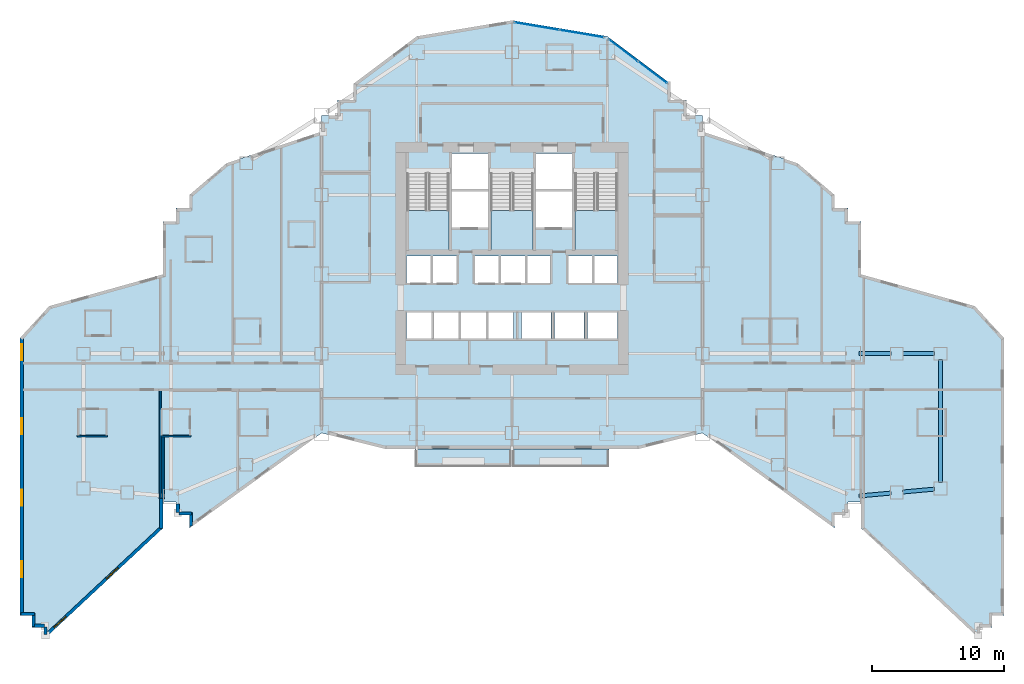
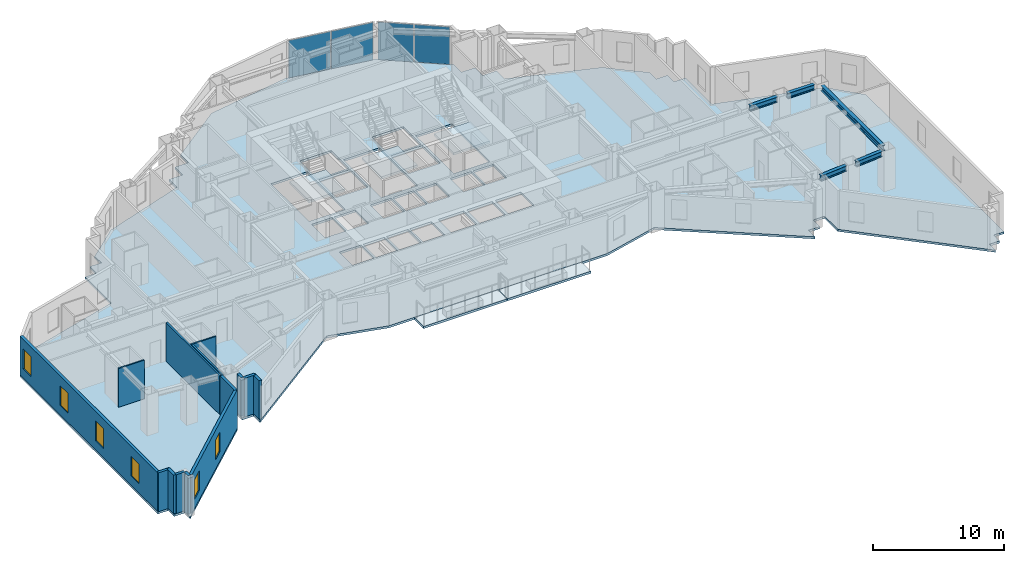
# One storey, part 6 of 16: 14 walls, 6 slabs, 6 windows, 5 beams, 4 plates, 6 openings, 5 elements without a shape of their own.
"""IFC4 building model written with IfcOpenShell, lengths in metres."""

from ifc_helpers import new_model, si_unit, direction, frame, frame_2d, origin, origin_2d, place, context, subcontext, project, spatial, polyline, rectangle, i_section, outline, extrude, material, layer, layer_set, material_profile, profile_set, type_object, element, fill, aggregate, save


model = new_model("IFC4")

# Units and contexts
model_context = context("Model", 3, precision=1e-05, world=origin(), true_north=direction((0.0, 1.0)))
body_context = subcontext(model_context, "Body", "Model", "MODEL_VIEW")
ifc_project = project(units=[si_unit("LENGTHUNIT", "METRE"), si_unit("AREAUNIT", "SQUARE_METRE"), si_unit("VOLUMEUNIT", "CUBIC_METRE"), si_unit("PLANEANGLEUNIT", "RADIAN"), si_unit("MASSUNIT", "GRAM", prefix="KILO")], contexts=[model_context])

# Site, building, storey
site_placement = place(None, origin())
site = spatial("IfcSite", under=ifc_project, at=site_placement, CompositionType="ELEMENT")
building_placement = place(site_placement, origin())
building = spatial("IfcBuilding", under=site, at=building_placement, Name="Haolan Belvedere Tower", CompositionType="ELEMENT")
storey_placement = place(building_placement, frame((0.0, 0.0, 74.199951171875)))
storey = spatial("IfcBuildingStorey", under=building, at=storey_placement, Name="L18", CompositionType="ELEMENT", Elevation=74.199951171875)

# Beams
ifc_material_1 = material(Name="Steel Q355B", Category="steel")
ifc_material_profile = material_profile(ifc_material_1, i_section(OverallWidth=0.300048828125, OverallDepth=0.488037109375, WebThickness=0.010986328125, FlangeThickness=0.01806640625, FilletRadius=0.02587890625, at=origin_2d()), Name="Steel Q355B")
ifc_profile_set = profile_set([ifc_material_profile], Name="Steel Q355B")
beam_type = type_object("IfcBeamType", Name="BM-HM488x300x11x18", PredefinedType="SPANDREL", material=ifc_profile_set)
beam_placement = place(storey_placement, frame((70.800048828125, 17.85009765625, 3.35595703125), z_axis=(0.0, 1.0, 0.0), x_axis=(-1.0, 0.0, 0.0)))
element("IfcBeam", 1, at=beam_placement, inside=storey, type_object=beam_type, Name="L18 spandrel girder MC-T5-SE-MC-T5-NE", PredefinedType="SPANDREL", context=body_context, shape_type="SweptSolid", body=[
    extrude(i_section(OverallWidth=0.300048828125, OverallDepth=0.488037109375, WebThickness=0.010986328125, FlangeThickness=0.01806640625, FilletRadius=0.02587890625, at=origin_2d()), origin(), (0.0, 0.0, 1.0), 9.2998046875),
])
for number, where, z_axis, x_axis, name in (
    (2, (64.648193359375, 16.8408203125, 3.35595703125), (0.995893206468, 0.090535746043, 0.0), (-0.090535746043, 0.995893206468, 0.0), "L18 spandrel girder MC-T4-SE-TC-T5-M1"),
    (3, (67.9482421875, 17.140625, 3.35595703125), (0.995884080761, 0.090636072764, 0.0), (-0.090636072764, 0.995884080761, 0.0), "L18 spandrel girder TC-T5-M1-MC-T5-SE"),
):
    element("IfcBeam", number, at=place(storey_placement, frame(where, z_axis=z_axis, x_axis=x_axis)), inside=storey, type_object=beam_type, Name=name, PredefinedType="SPANDREL", context=body_context, shape_type="SweptSolid", body=[
        extrude(i_section(OverallWidth=0.300048828125, OverallDepth=0.488037109375, WebThickness=0.010986328125, FlangeThickness=0.01806640625, FilletRadius=0.02587890625, at=origin_2d()), origin(), (0.0, 0.0, 1.0), 2.41357421875),
    ])
for number, where, z_axis, x_axis, name in (
    (4, (64.64990234375, 27.60009765625, 3.35595703125), (1.0, 0.0, 0.0), (0.0, 1.0, 0.0), "L18 spandrel girder MC-T4-ME-TC-T5-M2"),
    (5, (67.949951171875, 27.60009765625, 3.35595703125), (1.0, 0.0, 0.0), (0.0, 1.0, 0.0), "L18 spandrel girder TC-T5-M2-MC-T5-NE"),
):
    element("IfcBeam", number, at=place(storey_placement, frame(where, z_axis=z_axis, x_axis=x_axis)), inside=storey, type_object=beam_type, Name=name, PredefinedType="SPANDREL", context=body_context, shape_type="SweptSolid", body=[
        extrude(i_section(OverallWidth=0.300048828125, OverallDepth=0.488037109375, WebThickness=0.010986328125, FlangeThickness=0.01806640625, FilletRadius=0.02587890625, at=origin_2d()), origin(), (0.0, 0.0, 1.0), 2.400146484375),
    ])

# Curtain wall, plates
ifc_material_2 = material(Name="Anodised champagne-silver aluminium 6063-T6 and Low-E glass", Category="aluminium")
ifc_layer_1 = layer(ifc_material_2, 0.1650390625, Name="Anodised champagne-silver aluminium 6063-T6 and Low-E glass")
ifc_layer_set_1 = layer_set([ifc_layer_1], Name="Anodised champagne-silver aluminium 6063-T6 and Low-E glass")
curtain_wall_type = type_object("IfcCurtainWallType", Name="CW-SYS-02", PredefinedType="NOTDEFINED", material=ifc_layer_set_1)
curtain_wall_1_placement = place(storey_placement, origin())
curtain_wall_1 = element("IfcCurtainWall", 6, at=curtain_wall_1_placement, inside=storey, type_object=curtain_wall_type, Name="L18 CW-SYS-02 ribbon curtain wall 41.1", PredefinedType="NOTDEFINED")
ifc_material_3 = material(Name="Double silver Low-E laminated insulating glass", Category="glass")
ifc_layer_2 = layer(ifc_material_3, 0.02587890625, Name="Double silver Low-E laminated insulating glass")
ifc_layer_set_2 = layer_set([ifc_layer_2], Name="Double silver Low-E laminated insulating glass")
plate_type = type_object("IfcPlateType", Name="CW-SYS-02-PNL", PredefinedType="CURTAIN_PANEL", material=ifc_layer_set_2)
plate_1_placement = place(storey_placement, frame((49.02978515625, 48.877685546875, 0.05517578125), z_axis=(0.0, 0.0, 1.0), x_axis=(-0.800004262313, 0.599994316874, 0.0)))
plate_1 = element("IfcPlate", 7, at=plate_1_placement, type_object=plate_type, Name="CW-02 panel 1.1", PredefinedType="CURTAIN_PANEL", context=body_context, shape_type="SweptSolid", body=[
    extrude(rectangle(XDim=2.725341796875, YDim=0.02587890625, at=origin_2d()), origin(), (0.0, 0.0, 1.0), 3.489990234375),
])
plate_2_placement = place(storey_placement, frame((46.801513671875, 50.548828125, 0.05517578125), z_axis=(0.0, 0.0, 1.0), x_axis=(-0.800004262313, 0.599994316874, 0.0)))
plate_2 = element("IfcPlate", 8, at=plate_2_placement, type_object=plate_type, Name="CW-02 panel 2.1", PredefinedType="CURTAIN_PANEL", context=body_context, shape_type="SweptSolid", body=[
    extrude(rectangle(XDim=2.725341796875, YDim=0.02587890625, at=origin_2d()), origin(), (0.0, 0.0, 1.0), 3.489990234375),
])
aggregate(curtain_wall_1, [plate_1, plate_2])

curtain_wall_2_placement = place(storey_placement, origin())
curtain_wall_2 = element("IfcCurtainWall", 9, at=curtain_wall_2_placement, inside=storey, type_object=curtain_wall_type, Name="L18 CW-SYS-02 ribbon curtain wall 42.1", PredefinedType="NOTDEFINED")
plate_3_placement = place(storey_placement, frame((43.6796875, 51.79833984375, 0.05517578125), z_axis=(0.0, 0.0, 1.0), x_axis=(-0.9863931483, 0.16440364043, 0.0)))
plate_3 = element("IfcPlate", 10, at=plate_3_placement, type_object=plate_type, Name="CW-02 panel 1.1", PredefinedType="CURTAIN_PANEL", context=body_context, shape_type="SweptSolid", body=[
    extrude(rectangle(XDim=3.39501953125, YDim=0.02587890625, at=origin_2d()), origin(), (0.0, 0.0, 1.0), 3.489990234375),
])
plate_4_placement = place(storey_placement, frame((40.271728515625, 52.366455078125, 0.05517578125), z_axis=(0.0, 0.0, 1.0), x_axis=(-0.9863931483, 0.16440364043, 0.0)))
plate_4 = element("IfcPlate", 11, at=plate_4_placement, type_object=plate_type, Name="CW-02 panel 2.1", PredefinedType="CURTAIN_PANEL", context=body_context, shape_type="SweptSolid", body=[
    extrude(rectangle(XDim=3.39501953125, YDim=0.02587890625, at=origin_2d()), origin(), (0.0, 0.0, 1.0), 3.489990234375),
])
aggregate(curtain_wall_2, [plate_3, plate_4])

# Slabs
ifc_material_4 = material(Name="Concrete C40/50", Category="concrete")
ifc_layer_3 = layer(ifc_material_4, 0.2099609375, Name="Concrete C40/50")
ifc_layer_set_3 = layer_set([ifc_layer_3], Name="Concrete C40/50")
slab_type_1 = type_object("IfcSlabType", Name="SL-BAL-210", PredefinedType="FLOOR", material=ifc_layer_set_3)
slab_1_placement = place(storey_placement, frame((0.0, 0.0, -0.22998046875)))
element("IfcSlab", 12, at=slab_1_placement, inside=storey, type_object=slab_type_1, Name="L18 structural tree-planter balcony slab BAL-L18-S1", PredefinedType="FLOOR", context=body_context, shape_type="SweptSolid", body=[
    extrude(outline(polyline([(31.050048828125, 19.02001953125), (38.3798828125, 19.02001953125), (38.3798828125, 20.39990234375), (31.050048828125, 20.39990234375), (31.050048828125, 19.02001953125)])), origin(), (0.0, 0.0, 1.0), 0.2099609375),
])
slab_2_placement = place(storey_placement, frame((0.0, 0.0, -0.22998046875)))
element("IfcSlab", 13, at=slab_2_placement, inside=storey, type_object=slab_type_1, Name="L18 structural tree-planter balcony slab BAL-L18-S2", PredefinedType="FLOOR", context=body_context, shape_type="SweptSolid", body=[
    extrude(outline(polyline([(38.419921875, 19.02001953125), (45.75, 19.02001953125), (45.75, 20.39990234375), (38.419921875, 20.39990234375), (38.419921875, 19.02001953125)])), origin(), (0.0, 0.0, 1.0), 0.2099609375),
])
ifc_layer_4 = layer(ifc_material_4, 0.199951171875, Name="Concrete C40/50")
ifc_layer_set_4 = layer_set([ifc_layer_4], Name="Concrete C40/50")
slab_type_2 = type_object("IfcSlabType", Name="SL-FLR-200", PredefinedType="FLOOR", material=ifc_layer_set_4)
slab_3_placement = place(storey_placement, frame((0.0, 0.0, -0.199951171875)))
element("IfcSlab", 14, at=slab_3_placement, inside=storey, type_object=slab_type_2, Name="L18 structural floor slab", PredefinedType="FLOOR", context=body_context, shape_type="SweptSolid", body=[
    extrude(outline(polyline([(1.199951171875, 28.800048828125), (1.199951171875, 8.39990234375), (1.199951171875, 7.800048828125), (2.10009765625, 7.800048828125), (2.10009765625, 6.89990234375), (3.0, 6.89990234375), (3.0, 6.0), (12.0, 14.39990234375), (12.0, 16.39990234375), (13.0, 16.39990234375), (13.0, 15.39990234375), (14.0, 15.39990234375), (14.0, 14.39990234375), (24.0, 21.60009765625), (28.800048828125, 20.39990234375), (48.0, 20.39990234375), (52.800048828125, 21.60009765625), (62.800048828125, 14.39990234375), (62.800048828125, 15.39990234375), (63.800048828125, 15.39990234375), (63.800048828125, 16.39990234375), (64.800048828125, 16.39990234375), (64.800048828125, 14.39990234375), (73.800048828125, 6.0), (73.800048828125, 6.89990234375), (74.699951171875, 6.89990234375), (74.699951171875, 7.800048828125), (75.60009765625, 7.800048828125), (75.60009765625, 28.800048828125), (73.39990234375, 31.199951171875), (64.800048828125, 33.60009765625), (64.800048828125, 37.60009765625), (63.800048828125, 37.60009765625), (63.800048828125, 38.60009765625), (62.800048828125, 38.60009765625), (62.800048828125, 39.60009765625), (60.0, 42.0), (52.800048828125, 44.39990234375), (52.800048828125, 45.60009765625), (51.60009765625, 45.60009765625), (51.60009765625, 46.800048828125), (50.39990234375, 46.800048828125), (50.39990234375, 48.0), (45.60009765625, 51.60009765625), (38.39990234375, 52.800048828125), (31.199951171875, 51.60009765625), (26.39990234375, 48.0), (26.39990234375, 46.800048828125), (25.199951171875, 46.800048828125), (25.199951171875, 45.60009765625), (24.0, 45.60009765625), (24.0, 44.39990234375), (16.800048828125, 42.0), (14.0, 39.60009765625), (14.0, 38.60009765625), (13.0, 38.60009765625), (13.0, 37.60009765625), (12.0, 37.60009765625), (12.0, 33.60009765625), (3.39990234375, 31.199951171875), (1.199951171875, 28.800048828125)]), holes=[polyline([(30.449951171875, 41.22998046875), (30.449951171875, 35.449951171875), (33.6298828125, 35.449951171875), (33.6298828125, 41.22998046875), (30.449951171875, 41.22998046875)]), polyline([(36.81005859375, 41.22998046875), (36.81005859375, 35.449951171875), (39.989990234375, 35.449951171875), (39.989990234375, 41.22998046875), (36.81005859375, 41.22998046875)]), polyline([(43.169921875, 41.22998046875), (43.169921875, 35.449951171875), (46.35009765625, 35.449951171875), (46.35009765625, 41.22998046875), (43.169921875, 41.22998046875)]), polyline([(33.830078125, 40.050048828125), (36.610107421875, 40.050048828125), (36.610107421875, 42.75), (33.830078125, 42.75), (33.830078125, 40.050048828125)]), polyline([(33.830078125, 37.14990234375), (36.610107421875, 37.14990234375), (36.610107421875, 39.85009765625), (33.830078125, 39.85009765625), (33.830078125, 37.14990234375)]), polyline([(40.18994140625, 40.050048828125), (42.969970703125, 40.050048828125), (42.969970703125, 42.75), (40.18994140625, 42.75), (40.18994140625, 40.050048828125)]), polyline([(40.18994140625, 37.14990234375), (42.969970703125, 37.14990234375), (42.969970703125, 39.85009765625), (40.18994140625, 39.85009765625), (40.18994140625, 37.14990234375)]), polyline([(30.419921875, 32.949951171875), (32.27001953125, 32.949951171875), (32.27001953125, 35.0), (30.419921875, 35.0), (30.419921875, 32.949951171875)]), polyline([(32.409912109375, 32.949951171875), (34.260009765625, 32.949951171875), (34.260009765625, 35.0), (32.409912109375, 35.0), (32.409912109375, 32.949951171875)]), polyline([(35.56005859375, 32.949951171875), (37.409912109375, 32.949951171875), (37.409912109375, 35.0), (35.56005859375, 35.0), (35.56005859375, 32.949951171875)]), polyline([(37.550048828125, 32.949951171875), (39.39990234375, 32.949951171875), (39.39990234375, 35.0), (37.550048828125, 35.0), (37.550048828125, 32.949951171875)]), polyline([(39.5400390625, 32.949951171875), (41.389892578125, 32.949951171875), (41.389892578125, 35.0), (39.5400390625, 35.0), (39.5400390625, 32.949951171875)]), polyline([(42.6201171875, 32.949951171875), (44.469970703125, 32.949951171875), (44.469970703125, 35.0), (42.6201171875, 35.0), (42.6201171875, 32.949951171875)]), polyline([(44.580078125, 32.949951171875), (46.3798828125, 32.949951171875), (46.3798828125, 35.0), (44.580078125, 35.0), (44.580078125, 32.949951171875)]), polyline([(30.419921875, 28.75), (32.320068359375, 28.75), (32.320068359375, 30.75), (30.419921875, 30.75), (30.419921875, 28.75)]), polyline([(32.47998046875, 28.75), (34.3798828125, 28.75), (34.3798828125, 30.75), (32.47998046875, 30.75), (32.47998046875, 28.75)]), polyline([(34.5400390625, 28.75), (36.43994140625, 28.75), (36.43994140625, 30.75), (34.5400390625, 30.75), (34.5400390625, 28.75)]), polyline([(36.60009765625, 28.75), (38.5, 28.75), (38.5, 30.75), (36.60009765625, 30.75), (36.60009765625, 28.75)]), polyline([(39.10009765625, 28.75), (41.340087890625, 28.75), (41.340087890625, 30.75), (39.10009765625, 30.75), (39.10009765625, 28.75)]), polyline([(41.610107421875, 28.75), (43.85009765625, 28.75), (43.85009765625, 30.75), (41.610107421875, 30.75), (41.610107421875, 28.75)]), polyline([(44.1201171875, 28.75), (46.360107421875, 28.75), (46.360107421875, 30.75), (44.1201171875, 30.75), (44.1201171875, 28.75)])]), origin(), (0.0, 0.0, 1.0), 0.199951171875),
])

# Stair, slab
stair_type = type_object("IfcStairType", Name="STR-DL-22R-173", PredefinedType="HALF_TURN_STAIR", material=ifc_material_4)
stair_1_placement = place(storey_placement, origin())
stair_1 = element("IfcStair", 15, at=stair_1_placement, inside=storey, type_object=stair_type, Name="L18 Smokeproof Core Exit Stair ST1", PredefinedType="HALF_TURN_STAIR")
ifc_layer_5 = layer(ifc_material_4, 0.199951171875, Name="Concrete C40/50")
ifc_layer_set_5 = layer_set([ifc_layer_5], Name="Concrete C40/50")
slab_type_3 = type_object("IfcSlabType", Name="SL-LAND-200", PredefinedType="LANDING", material=ifc_layer_set_5)
slab_4_placement = place(storey_placement, frame((0.0, 0.0, 1.699951171875)))
slab_4 = element("IfcSlab", 16, at=slab_4_placement, type_object=slab_type_3, Name="ST1 landing 1", PredefinedType="LANDING", context=body_context, shape_type="SweptSolid", body=[
    extrude(outline(polyline([(30.449951171875, 38.429931640625), (30.449951171875, 35.449951171875), (33.6298828125, 35.449951171875), (33.6298828125, 38.429931640625), (30.449951171875, 38.429931640625)])), origin(), (0.0, 0.0, 1.0), 0.2001953125),
])
aggregate(stair_1, [slab_4])

stair_2_placement = place(storey_placement, origin())
stair_2 = element("IfcStair", 17, at=stair_2_placement, inside=storey, type_object=stair_type, Name="L18 Smokeproof Core Exit Stair ST3", PredefinedType="HALF_TURN_STAIR")
slab_5_placement = place(storey_placement, frame((0.0, 0.0, 1.699951171875)))
slab_5 = element("IfcSlab", 18, at=slab_5_placement, type_object=slab_type_3, Name="ST3 landing 1", PredefinedType="LANDING", context=body_context, shape_type="SweptSolid", body=[
    extrude(outline(polyline([(36.81005859375, 38.429931640625), (36.81005859375, 35.449951171875), (39.989990234375, 35.449951171875), (39.989990234375, 38.429931640625), (36.81005859375, 38.429931640625)])), origin(), (0.0, 0.0, 1.0), 0.2001953125),
])
aggregate(stair_2, [slab_5])

stair_3_placement = place(storey_placement, origin())
stair_3 = element("IfcStair", 19, at=stair_3_placement, inside=storey, type_object=stair_type, Name="L18 Smokeproof Core Exit Stair ST2", PredefinedType="HALF_TURN_STAIR")
slab_6_placement = place(storey_placement, frame((0.0, 0.0, 1.699951171875)))
slab_6 = element("IfcSlab", 20, at=slab_6_placement, type_object=slab_type_3, Name="ST2 landing 1", PredefinedType="LANDING", context=body_context, shape_type="SweptSolid", body=[
    extrude(outline(polyline([(43.169921875, 38.429931640625), (43.169921875, 35.449951171875), (46.35009765625, 35.449951171875), (46.35009765625, 38.429931640625), (43.169921875, 38.429931640625)])), origin(), (0.0, 0.0, 1.0), 0.2001953125),
])
aggregate(stair_3, [slab_6])

# Walls
ifc_material_5 = material(Name="Precast concrete C40/50", Category="concrete")
ifc_layer_6 = layer(ifc_material_5, 0.239990234375, Name="Precast concrete C40/50")
ifc_layer_set_6 = layer_set([ifc_layer_6], Name="Precast concrete C40/50")
wall_type_1 = type_object("IfcWallType", Name="WL-EXT-240", PredefinedType="SOLIDWALL", material=ifc_layer_set_6)
for number, where, z_axis, x_axis, name in (
    (21, (1.264892578125, 7.919921875, 0.0), (0.0, 0.0, 1.0), (1.0, 0.0, 0.0), "L18 pale-metal exterior spandrel wall 1.1"),
    (22, (2.219970703125, 7.97509765625, 0.0), (0.0, 0.0, 1.0), (0.0, -1.0, 0.0), "L18 pale-metal exterior spandrel wall 2.1"),
):
    element("IfcWall", number, at=place(storey_placement, frame(where, z_axis=z_axis, x_axis=x_axis)), inside=storey, type_object=wall_type_1, Name=name, PredefinedType="SOLIDWALL", context=body_context, shape_type="SweptSolid", body=[
        extrude(rectangle(XDim=1.010009765625, YDim=0.239990234375, at=frame_2d((0.5048828125, 0.0))), origin(), (0.0, 0.0, 1.0), 3.60009765625),
    ])
wall_1_placement = place(storey_placement, frame((2.300048828125, 7.02001953125, 0.0), z_axis=(0.0, 0.0, 1.0), x_axis=(1.0, 0.0, 0.0)))
element("IfcWall", 23, at=wall_1_placement, inside=storey, type_object=wall_type_1, Name="L18 pale-metal exterior spandrel wall 3.1", PredefinedType="SOLIDWALL", context=body_context, shape_type="SweptSolid", body=[
    extrude(rectangle(XDim=0.73486328125, YDim=0.239990234375, at=frame_2d((0.367431640625, 0.0))), origin(), (0.0, 0.0, 1.0), 3.60009765625),
])
wall_2_placement = place(storey_placement, frame((3.1201171875, 6.93505859375, 0.0), z_axis=(0.0, 0.0, 1.0), x_axis=(0.0, -1.0, 0.0)))
element("IfcWall", 24, at=wall_2_placement, inside=storey, type_object=wall_type_1, Name="L18 pale-metal exterior spandrel wall 4.1", PredefinedType="SOLIDWALL", context=body_context, shape_type="SweptSolid", body=[
    extrude(rectangle(XDim=0.573974609375, YDim=0.239990234375, at=frame_2d((0.287109375, 0.0))), origin(), (0.0, 0.0, 1.0), 3.60009765625),
])

# Wall, openings, windows
wall_3_placement = place(storey_placement, frame((3.269775390625, 6.416015625, 0.0), z_axis=(0.0, 0.0, 1.0), x_axis=(0.731064187858, 0.682308693505, 0.0)))
wall_3 = element("IfcWall", 25, at=wall_3_placement, inside=storey, type_object=wall_type_1, Name="L18 pale-metal exterior spandrel wall 5.1", PredefinedType="SOLIDWALL", context=body_context, shape_type="SweptSolid", body=[
    extrude(rectangle(XDim=11.83251953125, YDim=0.239990234375, at=frame_2d((5.916259765625, 0.0))), origin(), (0.0, 0.0, 1.0), 3.60009765625),
])
opening_1_placement = place(wall_3_placement, frame((0.699951171875, 0.0, 0.85009765625)))
opening_1 = element("IfcOpeningElement", 26, at=opening_1_placement, cuts=wall_3, Name="Opening W-01", PredefinedType="OPENING", context=body_context, shape_type="SweptSolid", body=[
    extrude(rectangle(XDim=1.199951171875, YDim=1.85009765625, at=frame_2d((0.60009765625, 0.925048828125))), frame((0.0, 0.1298828125, 0.0), z_axis=(0.0, -1.0, 0.0), x_axis=(1.0, 0.0, 0.0)), (0.0, 0.0, 1.0), 0.260009765625),
])
opening_2_placement = place(wall_3_placement, frame((6.10009765625, 0.0, 0.85009765625)))
opening_2 = element("IfcOpeningElement", 27, at=opening_2_placement, cuts=wall_3, Name="Opening W-01", PredefinedType="OPENING", context=body_context, shape_type="SweptSolid", body=[
    extrude(rectangle(XDim=1.199951171875, YDim=1.85009765625, at=frame_2d((0.60009765625, 0.925048828125))), frame((0.0, 0.1298828125, 0.0), z_axis=(0.0, -1.0, 0.0), x_axis=(1.0, 0.0, 0.0)), (0.0, 0.0, 1.0), 0.260009765625),
])
ifc_material_6 = material(Name="Anodised aluminium 6063-T6 and Low-E glass", Category="aluminium")
window_type = type_object("IfcWindowType", Name="WN-DECO-Z1", PartitioningType="SINGLE_PANEL", PredefinedType="WINDOW", material=ifc_material_6)
window_1_placement = place(opening_1_placement, origin())
window_1 = element("IfcWindow", 28, at=window_1_placement, inside=storey, type_object=window_type, Name="L18 Art Deco chevron window 1", OverallHeight=1.85009765625, OverallWidth=1.199951171875, PartitioningType="SINGLE_PANEL", PredefinedType="WINDOW", context=body_context, shape_type="SweptSolid", body=[
    extrude(rectangle(XDim=1.199951171875, YDim=1.85009765625, at=frame_2d((0.60009765625, 0.925048828125))), frame((0.0, 0.030029296875, 0.0), z_axis=(0.0, -1.0, 0.0), x_axis=(1.0, 0.0, 0.0)), (0.0, 0.0, 1.0), 0.06005859375),
])
fill(opening_1, window_1)
window_2_placement = place(opening_2_placement, origin())
window_2 = element("IfcWindow", 29, at=window_2_placement, inside=storey, type_object=window_type, Name="L18 Art Deco chevron window 2", OverallHeight=1.85009765625, OverallWidth=1.199951171875, PartitioningType="SINGLE_PANEL", PredefinedType="WINDOW", context=body_context, shape_type="SweptSolid", body=[
    extrude(rectangle(XDim=1.199951171875, YDim=1.85009765625, at=frame_2d((0.60009765625, 0.925048828125))), frame((0.0, 0.030029296875, 0.0), z_axis=(0.0, -1.0, 0.0), x_axis=(1.0, 0.0, 0.0)), (0.0, 0.0, 1.0), 0.06005859375),
])
fill(opening_2, window_2)

# Walls
wall_4_placement = place(storey_placement, frame((11.8798828125, 14.397216796875, 0.0), z_axis=(0.0, 0.0, 1.0), x_axis=(0.0, 1.0, 0.0)))
element("IfcWall", 30, at=wall_4_placement, inside=storey, type_object=wall_type_1, Name="L18 pale-metal exterior spandrel wall 6.1", PredefinedType="SOLIDWALL", context=body_context, shape_type="SweptSolid", body=[
    extrude(rectangle(XDim=2.24267578125, YDim=0.239990234375, at=frame_2d((1.121337890625, 0.0))), origin(), (0.0, 0.0, 1.0), 3.60009765625),
])
wall_5_placement = place(storey_placement, frame((13.1201171875, 16.23291015625, 0.0), z_axis=(0.0, 0.0, 1.0), x_axis=(0.0, -1.0, 0.0)))
element("IfcWall", 31, at=wall_5_placement, inside=storey, type_object=wall_type_1, Name="L18 pale-metal exterior spandrel wall 8.1", PredefinedType="SOLIDWALL", context=body_context, shape_type="SweptSolid", body=[
    extrude(rectangle(XDim=0.6279296875, YDim=0.239990234375, at=frame_2d((0.31396484375, 0.0))), origin(), (0.0, 0.0, 1.0), 3.60009765625),
])
wall_6_placement = place(storey_placement, frame((13.205078125, 15.52001953125, 0.0), z_axis=(0.0, 0.0, 1.0), x_axis=(1.0, 0.0, 0.0)))
element("IfcWall", 32, at=wall_6_placement, inside=storey, type_object=wall_type_1, Name="L18 pale-metal exterior spandrel wall 9.1", PredefinedType="SOLIDWALL", context=body_context, shape_type="SweptSolid", body=[
    extrude(rectangle(XDim=0.969970703125, YDim=0.239990234375, at=frame_2d((0.48486328125, 0.0))), origin(), (0.0, 0.0, 1.0), 3.60009765625),
])
wall_7_placement = place(storey_placement, frame((14.1201171875, 15.574951171875, 0.0), z_axis=(0.0, 0.0, 1.0), x_axis=(0.0, -1.0, 0.0)))
element("IfcWall", 33, at=wall_7_placement, inside=storey, type_object=wall_type_1, Name="L18 pale-metal exterior spandrel wall 10.1", PredefinedType="SOLIDWALL", context=body_context, shape_type="SweptSolid", body=[
    extrude(rectangle(XDim=0.99560546875, YDim=0.239990234375, at=frame_2d((0.497802734375, 0.0))), origin(), (0.0, 0.0, 1.0), 3.60009765625),
])

# Wall, openings, windows
wall_8_placement = place(storey_placement, frame((1.320068359375, 28.808349609375, 0.0), z_axis=(0.0, 0.0, 1.0), x_axis=(0.0, -1.0, 0.0)))
wall_8 = element("IfcWall", 34, at=wall_8_placement, inside=storey, type_object=wall_type_1, Name="L18 pale-metal exterior spandrel wall 59.1", PredefinedType="SOLIDWALL", context=body_context, shape_type="SweptSolid", body=[
    extrude(rectangle(XDim=20.943359375, YDim=0.239990234375, at=frame_2d((10.4716796875, 0.0))), origin(), (0.0, 0.0, 1.0), 3.60009765625),
])
opening_3_placement = place(wall_8_placement, frame((0.493408203125, 0.0, 0.85009765625)))
opening_3 = element("IfcOpeningElement", 35, at=opening_3_placement, cuts=wall_8, Name="Opening W-01", PredefinedType="OPENING", context=body_context, shape_type="SweptSolid", body=[
    extrude(rectangle(XDim=1.199951171875, YDim=1.85009765625, at=frame_2d((0.60009765625, 0.925048828125))), frame((0.0, 0.1298828125, 0.0), z_axis=(0.0, -1.0, 0.0), x_axis=(1.0, 0.0, 0.0)), (0.0, 0.0, 1.0), 0.260009765625),
])
opening_4_placement = place(wall_8_placement, frame((6.10009765625, 0.0, 0.85009765625)))
opening_4 = element("IfcOpeningElement", 36, at=opening_4_placement, cuts=wall_8, Name="Opening W-01", PredefinedType="OPENING", context=body_context, shape_type="SweptSolid", body=[
    extrude(rectangle(XDim=1.199951171875, YDim=1.85009765625, at=frame_2d((0.60009765625, 0.925048828125))), frame((0.0, 0.1298828125, 0.0), z_axis=(0.0, -1.0, 0.0), x_axis=(1.0, 0.0, 0.0)), (0.0, 0.0, 1.0), 0.260009765625),
])
opening_5_placement = place(wall_8_placement, frame((11.5, 0.0, 0.85009765625)))
opening_5 = element("IfcOpeningElement", 37, at=opening_5_placement, cuts=wall_8, Name="Opening W-01", PredefinedType="OPENING", context=body_context, shape_type="SweptSolid", body=[
    extrude(rectangle(XDim=1.199951171875, YDim=1.85009765625, at=frame_2d((0.60009765625, 0.925048828125))), frame((0.0, 0.1298828125, 0.0), z_axis=(0.0, -1.0, 0.0), x_axis=(1.0, 0.0, 0.0)), (0.0, 0.0, 1.0), 0.260009765625),
])
opening_6_placement = place(wall_8_placement, frame((16.89990234375, 0.0, 0.85009765625)))
opening_6 = element("IfcOpeningElement", 38, at=opening_6_placement, cuts=wall_8, Name="Opening W-01", PredefinedType="OPENING", context=body_context, shape_type="SweptSolid", body=[
    extrude(rectangle(XDim=1.199951171875, YDim=1.85009765625, at=frame_2d((0.60009765625, 0.925048828125))), frame((0.0, 0.1298828125, 0.0), z_axis=(0.0, -1.0, 0.0), x_axis=(1.0, 0.0, 0.0)), (0.0, 0.0, 1.0), 0.260009765625),
])
window_3_placement = place(opening_3_placement, origin())
window_3 = element("IfcWindow", 39, at=window_3_placement, inside=storey, type_object=window_type, Name="L18 Art Deco chevron window 1", OverallHeight=1.85009765625, OverallWidth=1.199951171875, PartitioningType="SINGLE_PANEL", PredefinedType="WINDOW", context=body_context, shape_type="SweptSolid", body=[
    extrude(rectangle(XDim=1.199951171875, YDim=1.85009765625, at=frame_2d((0.60009765625, 0.925048828125))), frame((0.0, 0.030029296875, 0.0), z_axis=(0.0, -1.0, 0.0), x_axis=(1.0, 0.0, 0.0)), (0.0, 0.0, 1.0), 0.06005859375),
])
fill(opening_3, window_3)
window_4_placement = place(opening_4_placement, origin())
window_4 = element("IfcWindow", 40, at=window_4_placement, inside=storey, type_object=window_type, Name="L18 Art Deco chevron window 2", OverallHeight=1.85009765625, OverallWidth=1.199951171875, PartitioningType="SINGLE_PANEL", PredefinedType="WINDOW", context=body_context, shape_type="SweptSolid", body=[
    extrude(rectangle(XDim=1.199951171875, YDim=1.85009765625, at=frame_2d((0.60009765625, 0.925048828125))), frame((0.0, 0.030029296875, 0.0), z_axis=(0.0, -1.0, 0.0), x_axis=(1.0, 0.0, 0.0)), (0.0, 0.0, 1.0), 0.06005859375),
])
fill(opening_4, window_4)
window_5_placement = place(opening_5_placement, origin())
window_5 = element("IfcWindow", 41, at=window_5_placement, inside=storey, type_object=window_type, Name="L18 Art Deco chevron window 3", OverallHeight=1.85009765625, OverallWidth=1.199951171875, PartitioningType="SINGLE_PANEL", PredefinedType="WINDOW", context=body_context, shape_type="SweptSolid", body=[
    extrude(rectangle(XDim=1.199951171875, YDim=1.85009765625, at=frame_2d((0.60009765625, 0.925048828125))), frame((0.0, 0.030029296875, 0.0), z_axis=(0.0, -1.0, 0.0), x_axis=(1.0, 0.0, 0.0)), (0.0, 0.0, 1.0), 0.06005859375),
])
fill(opening_5, window_5)
window_6_placement = place(opening_6_placement, origin())
window_6 = element("IfcWindow", 42, at=window_6_placement, inside=storey, type_object=window_type, Name="L18 Art Deco chevron window 4", OverallHeight=1.85009765625, OverallWidth=1.199951171875, PartitioningType="SINGLE_PANEL", PredefinedType="WINDOW", context=body_context, shape_type="SweptSolid", body=[
    extrude(rectangle(XDim=1.199951171875, YDim=1.85009765625, at=frame_2d((0.60009765625, 0.925048828125))), frame((0.0, 0.030029296875, 0.0), z_axis=(0.0, -1.0, 0.0), x_axis=(1.0, 0.0, 0.0)), (0.0, 0.0, 1.0), 0.06005859375),
])
fill(opening_6, window_6)

# Walls
ifc_material_7 = material(Name="Double gypsum acoustic stud partition", Category="masonry")
ifc_layer_7 = layer(ifc_material_7, 0.14990234375, Name="Double gypsum acoustic stud partition")
ifc_layer_set_7 = layer_set([ifc_layer_7], Name="Double gypsum acoustic stud partition")
wall_type_2 = type_object("IfcWallType", Name="WL-PART-150", PredefinedType="PARTITIONING", material=ifc_layer_set_7)
wall_9_placement = place(storey_placement, frame((11.800048828125, 16.64208984375, 0.0), z_axis=(0.0, 0.0, 1.0), x_axis=(0.0, 1.0, 0.0)))
element("IfcWall", 43, at=wall_9_placement, inside=storey, type_object=wall_type_2, Name="L18 interior partition IW-L18-T2S1-W", PredefinedType="PARTITIONING", context=body_context, shape_type="SweptSolid", body=[
    extrude(rectangle(XDim=8.16796875, YDim=0.14990234375, at=frame_2d((4.083984375, 0.0))), origin(), (0.0, 0.0, 1.0), 3.60009765625),
])
wall_10_placement = place(storey_placement, frame((12.02001953125, 16.612060546875, 0.0), z_axis=(0.0, 0.0, 1.0), x_axis=(0.0, 1.0, 0.0)))
element("IfcWall", 44, at=wall_10_placement, inside=storey, type_object=wall_type_2, Name="L18 interior partition IW-L18-T1S1-E", PredefinedType="PARTITIONING", context=body_context, shape_type="SweptSolid", body=[
    extrude(rectangle(XDim=4.712890625, YDim=0.14990234375, at=frame_2d((2.3564453125, 0.0))), origin(), (0.0, 0.0, 1.0), 3.60009765625),
])
ifc_material_8 = material(Name="Moisture-resistant gypsum tile partition", Category="masonry")
ifc_layer_8 = layer(ifc_material_8, 0.1201171875, Name="Moisture-resistant gypsum tile partition")
ifc_layer_set_8 = layer_set([ifc_layer_8], Name="Moisture-resistant gypsum tile partition")
wall_type_3 = type_object("IfcWallType", Name="WL-WET-120", PredefinedType="PARTITIONING", material=ifc_layer_set_8)
wall_11_placement = place(storey_placement, frame((11.860107421875, 21.3701171875, 0.0), z_axis=(0.0, 0.0, 1.0), x_axis=(1.0, 0.0, 0.0)))
element("IfcWall", 45, at=wall_11_placement, inside=storey, type_object=wall_type_3, Name="L18 interior partition IW-L18-T2S1-BS", PredefinedType="PARTITIONING", context=body_context, shape_type="SweptSolid", body=[
    extrude(rectangle(XDim=2.25, YDim=0.1201171875, at=frame_2d((1.125, 0.0))), origin(), (0.0, 0.0, 1.0), 3.60009765625),
])
wall_12_placement = place(storey_placement, frame((5.5400390625, 21.3701171875, 0.0), z_axis=(0.0, 0.0, 1.0), x_axis=(1.0, 0.0, 0.0)))
element("IfcWall", 46, at=wall_12_placement, inside=storey, type_object=wall_type_3, Name="L18 interior partition IW-L18-T1S1-BS", PredefinedType="PARTITIONING", context=body_context, shape_type="SweptSolid", body=[
    extrude(rectangle(XDim=2.27001953125, YDim=0.1201171875, at=frame_2d((1.135009765625, 0.0))), origin(), (0.0, 0.0, 1.0), 3.60009765625),
])

save(model, "model.ifc")
